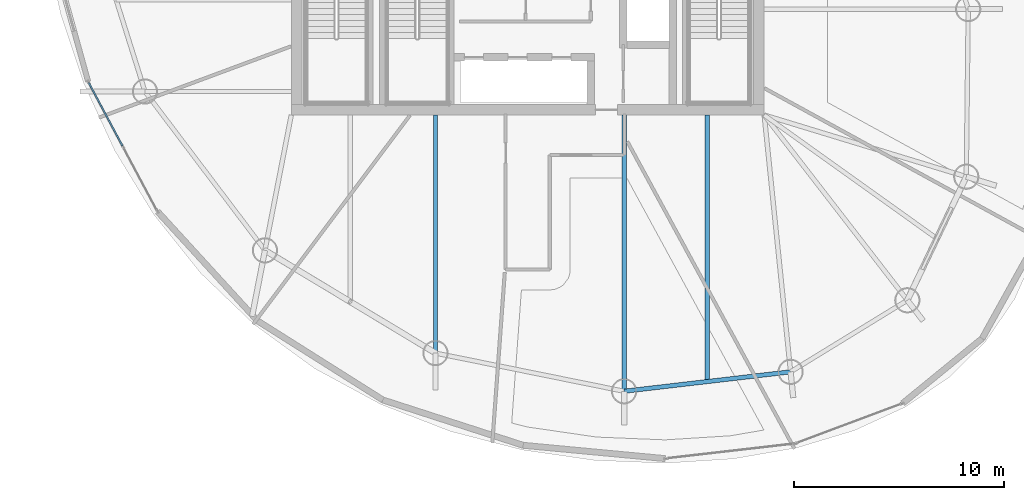
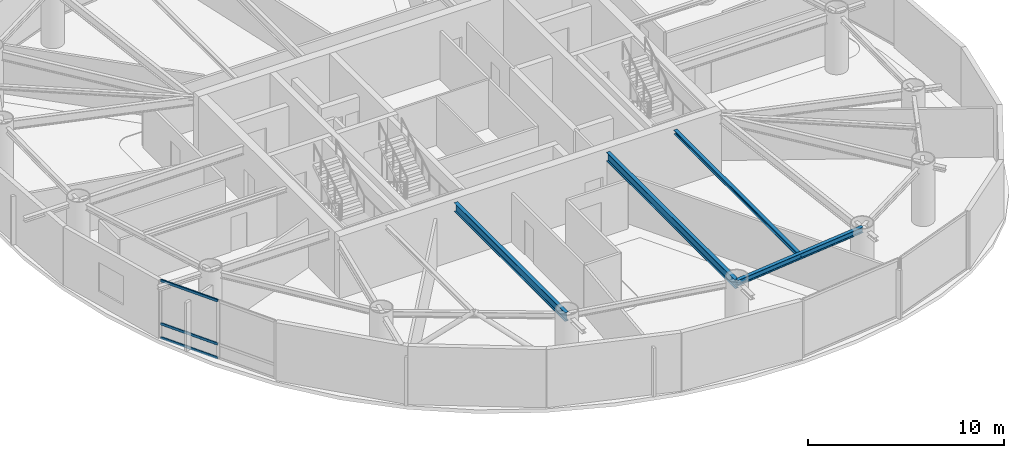
# One storey, part 4 of 22: 4 beams, 3 members, 1 element without a shape of its own.
"""IFC4 building model written with IfcOpenShell, lengths in metres."""

from ifc_helpers import new_model, si_unit, direction, frame, origin, origin_2d, place, context, subcontext, project, spatial, hollow_rectangle, i_section, extrude, material, layer, layer_set, material_profile, profile_set, type_object, element, aggregate, save


model = new_model("IFC4")

# Units and contexts
model_context = context("Model", 3, precision=1e-05, world=origin(), true_north=direction((0.0, 1.0)))
body_context = subcontext(model_context, "Body", "Model", "MODEL_VIEW")
ifc_project = project(units=[si_unit("LENGTHUNIT", "METRE"), si_unit("AREAUNIT", "SQUARE_METRE"), si_unit("VOLUMEUNIT", "CUBIC_METRE"), si_unit("PLANEANGLEUNIT", "RADIAN"), si_unit("MASSUNIT", "GRAM", prefix="KILO")], contexts=[model_context])

# Site, building, storey
site_placement = place(None, origin())
site = spatial("IfcSite", under=ifc_project, at=site_placement, CompositionType="ELEMENT")
building_placement = place(site_placement, origin())
building = spatial("IfcBuilding", under=site, at=building_placement, Name="Bramvorn Convention Spire", CompositionType="ELEMENT")
storey_placement = place(building_placement, frame((0.0, 0.0, 190.449951171875)))
storey = spatial("IfcBuildingStorey", under=building, at=storey_placement, Name="L48", CompositionType="ELEMENT", Elevation=190.449951171875)

# Beams
ifc_material_1 = material(Name="Steel CSA G40.21 Grade 350 (350W)", Category="steel")
ifc_material_profile_1 = material_profile(ifc_material_1, i_section(OverallWidth=0.201904296875, OverallDepth=0.2470703125, WebThickness=0.00732421875, FlangeThickness=0.010986328125, FilletRadius=0.011962890625, at=origin_2d()))
ifc_profile_set_1 = profile_set([ifc_material_profile_1], Name="Steel CSA G40.21 Grade 350 (350W) - W250X49")
beam_type_1 = type_object("IfcBeamType", Name="BM-W250X49", PredefinedType="JOIST", material=ifc_profile_set_1)
beam_1_placement = place(storey_placement, frame((46.544189453125, 18.550048828125, 3.49658203125), z_axis=(0.0, -1.0, 0.0), x_axis=(1.0, 0.0, 0.0)))
element("IfcBeam", 1, at=beam_1_placement, inside=storey, type_object=beam_type_1, Name="L48 composite floor joist 15", PredefinedType="JOIST", context=body_context, shape_type="SweptSolid", body=[
    extrude(i_section(OverallWidth=0.201904296875, OverallDepth=0.2470703125, WebThickness=0.00732421875, FlangeThickness=0.010986328125, FilletRadius=0.011962890625, at=origin_2d()), origin(), (0.0, 0.0, 1.0), 12.67626953125),
])
ifc_material_profile_2 = material_profile(ifc_material_1, i_section(OverallWidth=0.205078125, OverallDepth=0.35400390625, WebThickness=0.009521484375, FlangeThickness=0.016845703125, FilletRadius=0.014892578125, at=origin_2d()))
ifc_profile_set_2 = profile_set([ifc_material_profile_2], Name="Steel CSA G40.21 Grade 350 (350W) - W360X79")
beam_type_2 = type_object("IfcBeamType", Name="BM-W360X79", PredefinedType="JOIST", material=ifc_profile_set_2)
beam_2_placement = place(storey_placement, frame((42.583740234375, 5.41162109375, 3.443115234375), z_axis=(0.993256148339, 0.115940604561, 0.0), x_axis=(-0.115940604561, 0.993256148339, 0.0)))
element("IfcBeam", 2, at=beam_2_placement, inside=storey, type_object=beam_type_2, Name="L48 mega-column ring beam 15", PredefinedType="JOIST", context=body_context, shape_type="SweptSolid", body=[
    extrude(i_section(OverallWidth=0.205078125, OverallDepth=0.35400390625, WebThickness=0.009521484375, FlangeThickness=0.016845703125, FilletRadius=0.014892578125, at=origin_2d()), origin(), (0.0, 0.0, 1.0), 7.974365234375),
])
ifc_material_profile_3 = material_profile(ifc_material_1, i_section(OverallWidth=0.2119140625, OverallDepth=0.5439453125, WebThickness=0.01318359375, FlangeThickness=0.021240234375, FilletRadius=0.01904296875, at=origin_2d()))
ifc_profile_set_3 = profile_set([ifc_material_profile_3], Name="Steel CSA G40.21 Grade 350 (350W) - W530X123")
beam_type_3 = type_object("IfcBeamType", Name="BM-W530X123", PredefinedType="BEAM", material=ifc_profile_set_3)
beam_3_placement = place(storey_placement, frame((33.61083984375, 18.550048828125, 3.34814453125), z_axis=(0.0, -1.0, 0.0), x_axis=(1.0, 0.0, 0.0)))
element("IfcBeam", 3, at=beam_3_placement, inside=storey, type_object=beam_type_3, Name="L48 radial floor girder MC14", PredefinedType="BEAM", context=body_context, shape_type="SweptSolid", body=[
    extrude(i_section(OverallWidth=0.2119140625, OverallDepth=0.5439453125, WebThickness=0.01318359375, FlangeThickness=0.021240234375, FilletRadius=0.01904296875, at=origin_2d()), origin(), (0.0, 0.0, 1.0), 11.322265625),
])
beam_4_placement = place(storey_placement, frame((42.583740234375, 18.550048828125, 3.34814453125), z_axis=(0.0, -1.0, 0.0), x_axis=(1.0, 0.0, 0.0)))
element("IfcBeam", 4, at=beam_4_placement, inside=storey, type_object=beam_type_3, Name="L48 radial floor girder MC15", PredefinedType="BEAM", context=body_context, shape_type="SweptSolid", body=[
    extrude(i_section(OverallWidth=0.2119140625, OverallDepth=0.5439453125, WebThickness=0.01318359375, FlangeThickness=0.021240234375, FilletRadius=0.01904296875, at=origin_2d()), origin(), (0.0, 0.0, 1.0), 13.138427734375),
])

# Curtain wall, members
ifc_material_2 = material(Name="Anodised Bronze Unitised Curtain Wall", Category="aluminium")
ifc_layer = layer(ifc_material_2, 0.179931640625)
ifc_layer_set = layer_set([ifc_layer], Name="Anodised Bronze Unitised Curtain Wall - CW-OFF-FRIT")
curtain_wall_type = type_object("IfcCurtainWallType", Name="CW-OFF-FRIT", PredefinedType="USERDEFINED", material=ifc_layer_set)
curtain_wall_placement = place(storey_placement, origin())
curtain_wall = element("IfcCurtainWall", 5, at=curtain_wall_placement, inside=storey, type_object=curtain_wall_type, Name="L48 fritted glass curtain wall 17", ObjectType="UNITISED CURTAIN WALL", PredefinedType="USERDEFINED")
ifc_material_3 = material(Name="Anodised Bronze Aluminium 6063-T6", Category="aluminium")
ifc_material_profile_4 = material_profile(ifc_material_3, hollow_rectangle(XDim=0.080078125, YDim=0.159912109375, WallThickness=0.00390625, InnerFilletRadius=0.0009765625, OuterFilletRadius=0.00390625, at=origin_2d()))
ifc_profile_set_4 = profile_set([ifc_material_profile_4], Name="Anodised Bronze Aluminium 6063-T6 - CWT80X160")
member_type = type_object("IfcMemberType", Name="CW-TRN-150", PredefinedType="USERDEFINED", material=ifc_profile_set_4)
member_1_placement = place(storey_placement, frame((18.725341796875, 17.07861328125, 0.030029296875), z_axis=(-0.471158917482, 0.882048340215, 0.0), x_axis=(-0.882048340215, -0.471158917482, 0.0)))
member_1 = element("IfcMember", 6, at=member_1_placement, type_object=member_type, Name="CW3 transom 2.1", ObjectType="TRANSOM", PredefinedType="USERDEFINED", context=body_context, shape_type="SweptSolid", body=[
    extrude(hollow_rectangle(XDim=0.080078125, YDim=0.159912109375, WallThickness=0.00390625, InnerFilletRadius=0.0009765625, OuterFilletRadius=0.00390625, at=origin_2d()), origin(), (0.0, 0.0, 1.0), 3.4189453125),
])
member_2_placement = place(storey_placement, frame((18.725341796875, 17.07861328125, 0.900146484375), z_axis=(-0.471158917482, 0.882048340215, 0.0), x_axis=(-0.882048340215, -0.471158917482, 0.0)))
member_2 = element("IfcMember", 7, at=member_2_placement, type_object=member_type, Name="CW3 transom 2.2", ObjectType="TRANSOM", PredefinedType="USERDEFINED", context=body_context, shape_type="SweptSolid", body=[
    extrude(hollow_rectangle(XDim=0.080078125, YDim=0.159912109375, WallThickness=0.00390625, InnerFilletRadius=0.0009765625, OuterFilletRadius=0.00390625, at=origin_2d()), origin(), (0.0, 0.0, 1.0), 3.4189453125),
])
member_3_placement = place(storey_placement, frame((18.725341796875, 17.07861328125, 3.590087890625), z_axis=(-0.471158917482, 0.882048340215, 0.0), x_axis=(-0.882048340215, -0.471158917482, 0.0)))
member_3 = element("IfcMember", 8, at=member_3_placement, type_object=member_type, Name="CW3 transom 2.3", ObjectType="TRANSOM", PredefinedType="USERDEFINED", context=body_context, shape_type="SweptSolid", body=[
    extrude(hollow_rectangle(XDim=0.080078125, YDim=0.159912109375, WallThickness=0.00390625, InnerFilletRadius=0.0009765625, OuterFilletRadius=0.00390625, at=origin_2d()), origin(), (0.0, 0.0, 1.0), 3.4189453125),
])
aggregate(curtain_wall, [member_1, member_2, member_3])

save(model, "model.ifc")
